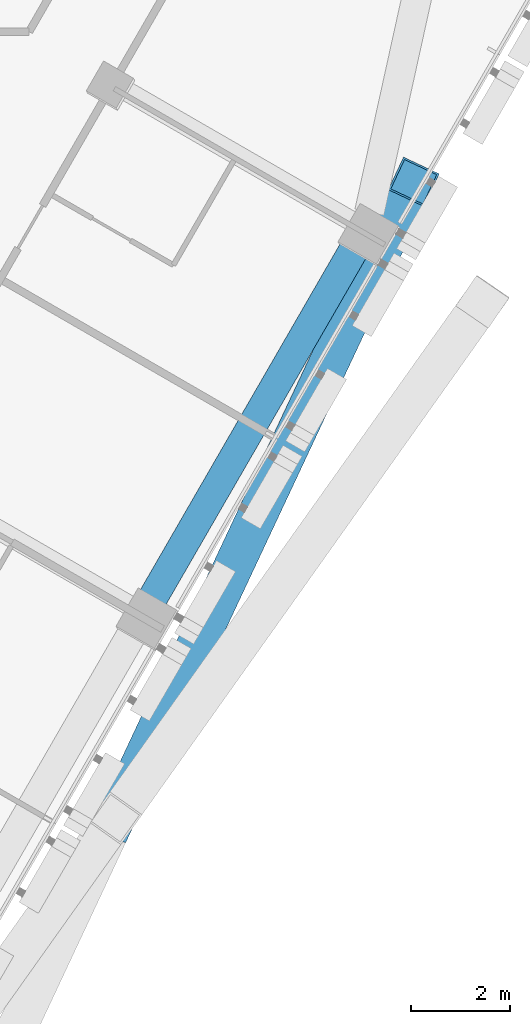
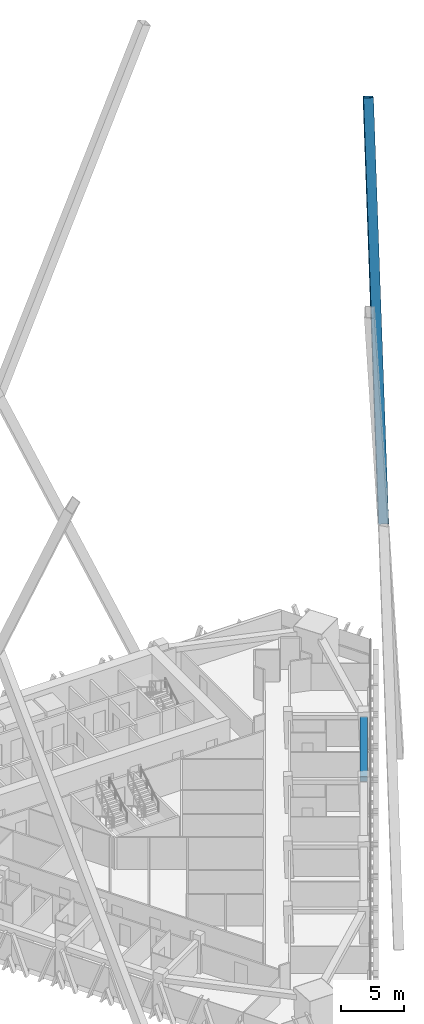
# One storey, part 10 of 23: 1 beam, 1 member.
"""IFC4 building model written with IfcOpenShell, lengths in metres."""

from ifc_helpers import new_model, si_unit, direction, frame, origin, origin_2d, place, context, subcontext, project, spatial, rectangle, hollow_rectangle, extrude, material, material_profile, profile_set, type_object, element, save


model = new_model("IFC4")

# Units and contexts
model_context = context("Model", 3, precision=1e-05, world=origin(), true_north=direction((0.0, 1.0)))
body_context = subcontext(model_context, "Body", "Model", "MODEL_VIEW")
ifc_project = project(units=[si_unit("LENGTHUNIT", "METRE"), si_unit("AREAUNIT", "SQUARE_METRE"), si_unit("VOLUMEUNIT", "CUBIC_METRE"), si_unit("PLANEANGLEUNIT", "RADIAN"), si_unit("MASSUNIT", "GRAM", prefix="KILO")], contexts=[model_context])

# Site, building, storey
site_placement = place(None, origin())
site = spatial("IfcSite", under=ifc_project, at=site_placement, CompositionType="ELEMENT")
building_placement = place(site_placement, origin())
building = spatial("IfcBuilding", under=site, at=building_placement, Name="Altiplano Prism Tower", CompositionType="ELEMENT")
storey_placement = place(building_placement, frame((0.0, 0.0, 100.800048828125)))
storey = spatial("IfcBuildingStorey", under=building, at=storey_placement, Name="L25", CompositionType="ELEMENT", Elevation=100.800048828125)

# Beam
ifc_material_1 = material(Name="Concrete C60/75", Category="concrete")
ifc_material_profile_1 = material_profile(ifc_material_1, rectangle(XDim=0.60009765625, YDim=0.5, at=origin_2d()), Name="Edge beam 600x500")
ifc_profile_set_1 = profile_set([ifc_material_profile_1], Name="Concrete C60/75")
beam_type = type_object("IfcBeamType", Name="Edge beam 600x500", PredefinedType="SPANDREL", material=ifc_profile_set_1)
beam_placement = place(storey_placement, frame((103.491943359375, 80.88671875, 2.849853515625), z_axis=(0.500014701701, 0.866016915587, 0.0), x_axis=(-0.866016915587, 0.500014701701, 0.0)))
element("IfcBeam", 1, at=beam_placement, inside=storey, type_object=beam_type, Name="Edge beam P23-P24 L26", PredefinedType="SPANDREL", context=body_context, shape_type="SweptSolid", body=[
    extrude(rectangle(XDim=0.60009765625, YDim=0.5, at=origin_2d()), origin(), (0.0, 0.0, 1.0), 8.340087890625),
])

# Member
ifc_material_2 = material(Name="Steel S355", Category="steel")
ifc_material_profile_2 = material_profile(ifc_material_2, hollow_rectangle(XDim=0.800048828125, YDim=0.800048828125, WallThickness=0.0400390625, at=origin_2d()), Name="Mega brace Box 800x800x40")
ifc_profile_set_2 = profile_set([ifc_material_profile_2], Name="Steel S355")
member_type = type_object("IfcMemberType", Name="Mega brace Box 800x800x40", PredefinedType="BRACE", material=ifc_profile_set_2)
member_placement = place(storey_placement, frame((102.752197265625, 76.452392578125, 30.675048828125), z_axis=(0.174873640855, 0.372978145101, 0.911211563256), x_axis=(-0.905421489219, 0.42451375344, 0.0)))
element("IfcMember", 2, at=member_placement, inside=storey, type_object=member_type, Name="Mega brace 3.2.2", PredefinedType="BRACE", context=body_context, shape_type="SweptSolid", body=[
    extrude(hollow_rectangle(XDim=0.800048828125, YDim=0.800048828125, WallThickness=0.0400390625, at=origin_2d()), origin(), (0.0, 0.0, 1.0), 34.5966796875),
])

save(model, "model.ifc")
